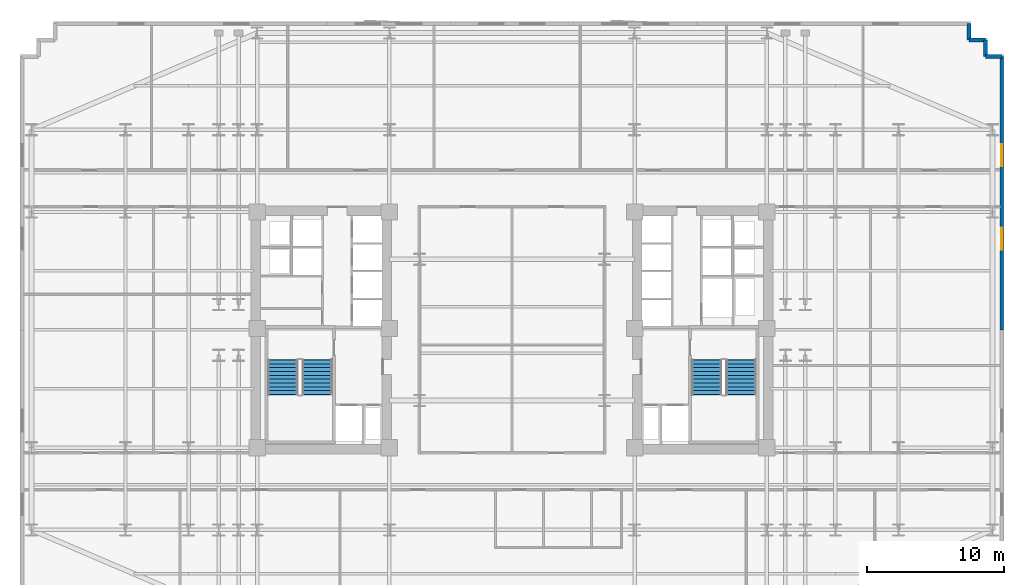
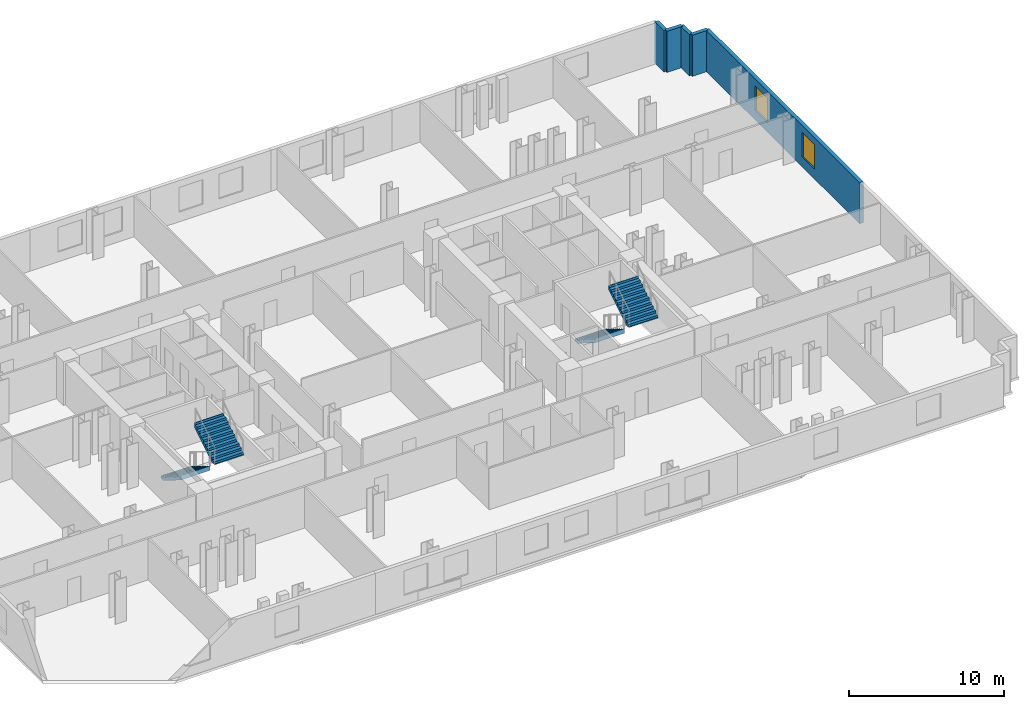
# One storey, part 8 of 10: 5 walls, 4 stair flights, 2 windows, 2 openings, 2 elements without a shape of their own.
"""IFC4 building model written with IfcOpenShell, lengths in metres."""

from ifc_helpers import new_model, si_unit, direction, frame, frame_2d, origin, place, context, subcontext, project, spatial, polyline, rectangle, outline, extrude, material, layer, layer_set, type_object, element, fill, aggregate, save


model = new_model("IFC4")

# Units and contexts
model_context = context("Model", 3, precision=1e-05, world=origin(), true_north=direction((0.0, 1.0)))
body_context = subcontext(model_context, "Body", "Model", "MODEL_VIEW")
ifc_project = project(units=[si_unit("LENGTHUNIT", "METRE"), si_unit("AREAUNIT", "SQUARE_METRE"), si_unit("VOLUMEUNIT", "CUBIC_METRE"), si_unit("PLANEANGLEUNIT", "RADIAN"), si_unit("MASSUNIT", "GRAM", prefix="KILO")], contexts=[model_context])

# Site, building, storey
site_placement = place(None, origin())
site = spatial("IfcSite", under=ifc_project, at=site_placement, CompositionType="ELEMENT")
building_placement = place(site_placement, origin())
building = spatial("IfcBuilding", under=site, at=building_placement, Name="Velakula Bourse", CompositionType="ELEMENT")
storey_placement = place(building_placement, frame((0.0, 0.0, 58.800048828125)))
storey = spatial("IfcBuildingStorey", under=building, at=storey_placement, Name="L15", CompositionType="ELEMENT", Elevation=58.800048828125)

# Wall, openings, windows
ifc_material_1 = material(Name="Red kilned clay facing brick masonry", Category="masonry")
ifc_layer_1 = layer(ifc_material_1, 0.280029296875, Name="Red kilned clay facing brick masonry", Category="masonry")
ifc_layer_set_1 = layer_set([ifc_layer_1], Name="Red kilned clay facing brick masonry")
wall_type = type_object("IfcWallType", Name="WL-EXT-BRK-280", PredefinedType="STANDARD", material=ifc_layer_set_1)
wall_1_placement = place(storey_placement, frame((35.739990234375, 19.93994140625, 0.0), z_axis=(0.0, 0.0, 1.0), x_axis=(0.0, -1.0, 0.0)))
wall_1 = element("IfcWall", 1, at=wall_1_placement, inside=storey, type_object=wall_type, Name="L15 E Brick End Wall W2", PredefinedType="STANDARD", context=body_context, shape_type="SweptSolid", body=[
    extrude(rectangle(XDim=19.93994140625, YDim=0.280029296875, at=frame_2d((9.969970703125, 0.0))), origin(), (0.0, 0.0, 1.0), 3.25),
])
opening_1_placement = place(wall_1_placement, frame((6.396728515625, 0.0, 0.760009765625)))
opening_1 = element("IfcOpeningElement", 2, at=opening_1_placement, cuts=wall_1, Name="Opening W-02", PredefinedType="OPENING", context=body_context, shape_type="SweptSolid", body=[
    extrude(rectangle(XDim=1.60009765625, YDim=1.949951171875, at=frame_2d((0.800048828125, 0.97509765625))), frame((0.0, 0.14990234375, 0.0), z_axis=(0.0, -1.0, 0.0), x_axis=(1.0, 0.0, 0.0)), (0.0, 0.0, 1.0), 0.300048828125),
])
opening_2_placement = place(wall_1_placement, frame((12.493408203125, 0.0, 0.760009765625)))
opening_2 = element("IfcOpeningElement", 3, at=opening_2_placement, cuts=wall_1, Name="Opening W-02", PredefinedType="OPENING", context=body_context, shape_type="SweptSolid", body=[
    extrude(rectangle(XDim=1.60009765625, YDim=1.949951171875, at=frame_2d((0.800048828125, 0.97509765625))), frame((0.0, 0.14990234375, 0.0), z_axis=(0.0, -1.0, 0.0), x_axis=(1.0, 0.0, 0.0)), (0.0, 0.0, 1.0), 0.300048828125),
])
ifc_material_2 = material(Name="Double-glazed solar-control Low-E glass", Category="glass")
window_type = type_object("IfcWindowType", Name="WIN-TWR-1600x2100", PartitioningType="SINGLE_PANEL", PredefinedType="WINDOW", material=ifc_material_2)
window_1_placement = place(opening_1_placement, origin())
window_1 = element("IfcWindow", 4, at=window_1_placement, inside=storey, type_object=window_type, Name="L15 Deep-Set Recessed Window 1", OverallHeight=1.949951171875, OverallWidth=1.60009765625, PartitioningType="SINGLE_PANEL", PredefinedType="WINDOW", context=body_context, shape_type="SweptSolid", body=[
    extrude(rectangle(XDim=1.60009765625, YDim=1.949951171875, at=frame_2d((0.800048828125, 0.97509765625))), frame((0.0, 0.030029296875, 0.0), z_axis=(0.0, -1.0, 0.0), x_axis=(1.0, 0.0, 0.0)), (0.0, 0.0, 1.0), 0.06005859375),
])
fill(opening_1, window_1)
window_2_placement = place(opening_2_placement, origin())
window_2 = element("IfcWindow", 5, at=window_2_placement, inside=storey, type_object=window_type, Name="L15 Deep-Set Recessed Window 2", OverallHeight=1.949951171875, OverallWidth=1.60009765625, PartitioningType="SINGLE_PANEL", PredefinedType="WINDOW", context=body_context, shape_type="SweptSolid", body=[
    extrude(rectangle(XDim=1.60009765625, YDim=1.949951171875, at=frame_2d((0.800048828125, 0.97509765625))), frame((0.0, 0.030029296875, 0.0), z_axis=(0.0, -1.0, 0.0), x_axis=(1.0, 0.0, 0.0)), (0.0, 0.0, 1.0), 0.06005859375),
])
fill(opening_2, window_2)

# Walls
for number, where, z_axis, x_axis, name in (
    (6, (35.739990234375, 19.93994140625, 0.0), (0.0, 0.0, 1.0), (-1.0, 0.0, 0.0), "L15 Serrated Corner Brick Wall NE-1"),
    (7, (34.5400390625, 19.93994140625, 0.0), (0.0, 0.0, 1.0), (0.0, 1.0, 0.0), "L15 Serrated Corner Brick Wall NE-2"),
    (8, (34.5400390625, 21.139892578125, 0.0), (0.0, 0.0, 1.0), (-1.0, 0.0, 0.0), "L15 Serrated Corner Brick Wall NE-3"),
):
    element("IfcWall", number, at=place(storey_placement, frame(where, z_axis=z_axis, x_axis=x_axis)), inside=storey, type_object=wall_type, Name=name, PredefinedType="STANDARD", context=body_context, shape_type="SweptSolid", body=[
        extrude(rectangle(XDim=1.199951171875, YDim=0.280029296875, at=frame_2d((0.60009765625, 0.0))), origin(), (0.0, 0.0, 1.0), 3.25),
    ])
wall_2_placement = place(storey_placement, frame((33.340087890625, 21.139892578125, 0.0), z_axis=(0.0, 0.0, 1.0), x_axis=(0.0, 1.0, 0.0)))
element("IfcWall", 9, at=wall_2_placement, inside=storey, type_object=wall_type, Name="L15 Serrated Corner Brick Wall NE-4", PredefinedType="STANDARD", context=body_context, shape_type="SweptSolid", body=[
    extrude(rectangle(XDim=1.2001953125, YDim=0.280029296875, at=frame_2d((0.60009765625, 0.0))), origin(), (0.0, 0.0, 1.0), 3.25),
])

# Stair, stair flights
ifc_material_3 = material(Name="Concrete M45 (fck 45 MPa)", Category="concrete")
stair_type = type_object("IfcStairType", Name="STR-DOG-390", PredefinedType="HALF_TURN_STAIR", material=ifc_material_3)
stair_1_placement = place(storey_placement, origin())
stair_1 = element("IfcStair", 10, at=stair_1_placement, inside=storey, type_object=stair_type, Name="L15 West Core Exit Stair ST-W1", PredefinedType="HALF_TURN_STAIR")
ifc_layer_2 = layer(ifc_material_3, 0.195068359375, Name="Concrete M45 (fck 45 MPa)", Category="concrete")
ifc_layer_set_2 = layer_set([ifc_layer_2], Name="Concrete M45 (fck 45 MPa)")
stair_flight_type = type_object("IfcStairFlightType", Name="FLT-DOG-390", PredefinedType="STRAIGHT", material=ifc_layer_set_2)
stair_flight_1_placement = place(storey_placement, frame((-16.720947265625, -2.199951171875, 0.0), z_axis=(0.0, 0.0, 1.0), x_axis=(0.0, -1.0, 0.0)))
stair_flight_1 = element("IfcStairFlight", 11, at=stair_flight_1_placement, type_object=stair_flight_type, Name="ST-W1 flight 1", NumberOfRisers=10, NumberOfTreads=9, PredefinedType="STRAIGHT", RiserHeight=0.1725, TreadLength=0.28, context=body_context, shape_type="SweptSolid", body=[
    extrude(outline(polyline([(-0.044921875, -0.0400390625), (-0.044921875, -0.036865234375), (-0.044921875, -0.033935546875), (-0.044921875, -0.03076171875), (-0.044921875, -0.027587890625), (-0.044921875, -0.024658203125), (-0.044921875, -0.021484375), (-0.044921875, -0.0185546875), (-0.044921875, -0.015380859375), (-0.044921875, -0.01220703125), (-0.044921875, -0.00927734375), (-0.044921875, -0.006103515625), (-0.044921875, -0.003173828125), (-0.044921875, 0.0), (0.0, 0.0), (0.0, 0.172607421875), (0.280029296875, 0.172607421875), (0.280029296875, 0.344970703125), (0.56005859375, 0.344970703125), (0.56005859375, 0.517578125), (0.840087890625, 0.517578125), (0.840087890625, 0.68994140625), (1.1201171875, 0.68994140625), (1.1201171875, 0.862548828125), (1.39990234375, 0.862548828125), (1.39990234375, 1.034912109375), (1.679931640625, 1.034912109375), (1.679931640625, 1.20751953125), (1.9599609375, 1.20751953125), (1.9599609375, 1.3798828125), (2.239990234375, 1.3798828125), (2.239990234375, 1.552490234375), (2.52001953125, 1.552490234375), (2.52001953125, 1.72509765625), (2.56494140625, 1.72509765625), (2.56494140625, 1.7001953125), (2.56494140625, 1.67529296875), (2.56494140625, 1.650390625), (2.56494140625, 1.62548828125), (2.56494140625, 1.6005859375), (2.56494140625, 1.57568359375), (2.56494140625, 1.55078125), (2.56494140625, 1.52587890625), (2.56494140625, 1.5009765625), (2.56494140625, 1.47607421875), (2.56494140625, 1.451171875), (2.56494140625, 1.42626953125), (2.56494140625, 1.4013671875), (2.56494140625, 1.37646484375), (0.285888671875, -0.0400390625), (-0.044921875, -0.0400390625)])), frame((0.0, 1.09912109375, 0.0), z_axis=(0.0, -1.0, 0.0), x_axis=(1.0, 0.0, 0.0)), (0.0, 0.0, 1.0), 2.197998046875),
])
stair_flight_2_placement = place(storey_placement, frame((-14.198974609375, -4.719970703125, 1.724853515625), z_axis=(0.0, 0.0, 1.0), x_axis=(0.0, 1.0, 0.0)))
stair_flight_2 = element("IfcStairFlight", 12, at=stair_flight_2_placement, type_object=stair_flight_type, Name="ST-W1 flight 2", NumberOfRisers=10, NumberOfTreads=9, PredefinedType="STRAIGHT", RiserHeight=0.1725, TreadLength=0.28, context=body_context, shape_type="SweptSolid", body=[
    extrude(outline(polyline([(-0.044921875, -0.0400390625), (-0.044921875, -0.036865234375), (-0.044921875, -0.033935546875), (-0.044921875, -0.03076171875), (-0.044921875, -0.027587890625), (-0.044921875, -0.024658203125), (-0.044921875, -0.021484375), (-0.044921875, -0.0185546875), (-0.044921875, -0.015380859375), (-0.044921875, -0.01220703125), (-0.044921875, -0.00927734375), (-0.044921875, -0.006103515625), (-0.044921875, -0.003173828125), (-0.044921875, 0.0), (0.0, 0.0), (0.0, 0.172607421875), (0.280029296875, 0.172607421875), (0.280029296875, 0.344970703125), (0.56005859375, 0.344970703125), (0.56005859375, 0.517578125), (0.840087890625, 0.517578125), (0.840087890625, 0.68994140625), (1.1201171875, 0.68994140625), (1.1201171875, 0.862548828125), (1.39990234375, 0.862548828125), (1.39990234375, 1.034912109375), (1.679931640625, 1.034912109375), (1.679931640625, 1.20751953125), (1.9599609375, 1.20751953125), (1.9599609375, 1.3798828125), (2.239990234375, 1.3798828125), (2.239990234375, 1.552490234375), (2.52001953125, 1.552490234375), (2.52001953125, 1.72509765625), (2.56494140625, 1.72509765625), (2.56494140625, 1.7001953125), (2.56494140625, 1.67529296875), (2.56494140625, 1.650390625), (2.56494140625, 1.62548828125), (2.56494140625, 1.6005859375), (2.56494140625, 1.57568359375), (2.56494140625, 1.55078125), (2.56494140625, 1.52587890625), (2.56494140625, 1.5009765625), (2.56494140625, 1.47607421875), (2.56494140625, 1.451171875), (2.56494140625, 1.42626953125), (2.56494140625, 1.4013671875), (2.56494140625, 1.37646484375), (0.285888671875, -0.0400390625), (-0.044921875, -0.0400390625)])), frame((0.0, 1.09912109375, 0.0), z_axis=(0.0, -1.0, 0.0), x_axis=(1.0, 0.0, 0.0)), (0.0, 0.0, 1.0), 2.197998046875),
])
aggregate(stair_1, [stair_flight_1, stair_flight_2])

stair_2_placement = place(storey_placement, origin())
stair_2 = element("IfcStair", 13, at=stair_2_placement, inside=storey, type_object=stair_type, Name="L15 East Core Exit Stair ST-E1", PredefinedType="HALF_TURN_STAIR")
stair_flight_3_placement = place(storey_placement, frame((14.198974609375, -2.199951171875, 0.0), z_axis=(0.0, 0.0, 1.0), x_axis=(0.0, -1.0, 0.0)))
stair_flight_3 = element("IfcStairFlight", 14, at=stair_flight_3_placement, type_object=stair_flight_type, Name="ST-E1 flight 1", NumberOfRisers=10, NumberOfTreads=9, PredefinedType="STRAIGHT", RiserHeight=0.1725, TreadLength=0.28, context=body_context, shape_type="SweptSolid", body=[
    extrude(outline(polyline([(-0.044921875, -0.0400390625), (-0.044921875, -0.036865234375), (-0.044921875, -0.033935546875), (-0.044921875, -0.03076171875), (-0.044921875, -0.027587890625), (-0.044921875, -0.024658203125), (-0.044921875, -0.021484375), (-0.044921875, -0.0185546875), (-0.044921875, -0.015380859375), (-0.044921875, -0.01220703125), (-0.044921875, -0.00927734375), (-0.044921875, -0.006103515625), (-0.044921875, -0.003173828125), (-0.044921875, 0.0), (0.0, 0.0), (0.0, 0.172607421875), (0.280029296875, 0.172607421875), (0.280029296875, 0.344970703125), (0.56005859375, 0.344970703125), (0.56005859375, 0.517578125), (0.840087890625, 0.517578125), (0.840087890625, 0.68994140625), (1.1201171875, 0.68994140625), (1.1201171875, 0.862548828125), (1.39990234375, 0.862548828125), (1.39990234375, 1.034912109375), (1.679931640625, 1.034912109375), (1.679931640625, 1.20751953125), (1.9599609375, 1.20751953125), (1.9599609375, 1.3798828125), (2.239990234375, 1.3798828125), (2.239990234375, 1.552490234375), (2.52001953125, 1.552490234375), (2.52001953125, 1.72509765625), (2.56494140625, 1.72509765625), (2.56494140625, 1.7001953125), (2.56494140625, 1.67529296875), (2.56494140625, 1.650390625), (2.56494140625, 1.62548828125), (2.56494140625, 1.6005859375), (2.56494140625, 1.57568359375), (2.56494140625, 1.55078125), (2.56494140625, 1.52587890625), (2.56494140625, 1.5009765625), (2.56494140625, 1.47607421875), (2.56494140625, 1.451171875), (2.56494140625, 1.42626953125), (2.56494140625, 1.4013671875), (2.56494140625, 1.37646484375), (0.285888671875, -0.0400390625), (-0.044921875, -0.0400390625)])), frame((0.0, 1.09912109375, 0.0), z_axis=(0.0, -1.0, 0.0), x_axis=(1.0, 0.0, 0.0)), (0.0, 0.0, 1.0), 2.197998046875),
])
stair_flight_4_placement = place(storey_placement, frame((16.720947265625, -4.719970703125, 1.724853515625), z_axis=(0.0, 0.0, 1.0), x_axis=(0.0, 1.0, 0.0)))
stair_flight_4 = element("IfcStairFlight", 15, at=stair_flight_4_placement, type_object=stair_flight_type, Name="ST-E1 flight 2", NumberOfRisers=10, NumberOfTreads=9, PredefinedType="STRAIGHT", RiserHeight=0.1725, TreadLength=0.28, context=body_context, shape_type="SweptSolid", body=[
    extrude(outline(polyline([(-0.044921875, -0.0400390625), (-0.044921875, -0.036865234375), (-0.044921875, -0.033935546875), (-0.044921875, -0.03076171875), (-0.044921875, -0.027587890625), (-0.044921875, -0.024658203125), (-0.044921875, -0.021484375), (-0.044921875, -0.0185546875), (-0.044921875, -0.015380859375), (-0.044921875, -0.01220703125), (-0.044921875, -0.00927734375), (-0.044921875, -0.006103515625), (-0.044921875, -0.003173828125), (-0.044921875, 0.0), (0.0, 0.0), (0.0, 0.172607421875), (0.280029296875, 0.172607421875), (0.280029296875, 0.344970703125), (0.56005859375, 0.344970703125), (0.56005859375, 0.517578125), (0.840087890625, 0.517578125), (0.840087890625, 0.68994140625), (1.1201171875, 0.68994140625), (1.1201171875, 0.862548828125), (1.39990234375, 0.862548828125), (1.39990234375, 1.034912109375), (1.679931640625, 1.034912109375), (1.679931640625, 1.20751953125), (1.9599609375, 1.20751953125), (1.9599609375, 1.3798828125), (2.239990234375, 1.3798828125), (2.239990234375, 1.552490234375), (2.52001953125, 1.552490234375), (2.52001953125, 1.72509765625), (2.56494140625, 1.72509765625), (2.56494140625, 1.7001953125), (2.56494140625, 1.67529296875), (2.56494140625, 1.650390625), (2.56494140625, 1.62548828125), (2.56494140625, 1.6005859375), (2.56494140625, 1.57568359375), (2.56494140625, 1.55078125), (2.56494140625, 1.52587890625), (2.56494140625, 1.5009765625), (2.56494140625, 1.47607421875), (2.56494140625, 1.451171875), (2.56494140625, 1.42626953125), (2.56494140625, 1.4013671875), (2.56494140625, 1.37646484375), (0.285888671875, -0.0400390625), (-0.044921875, -0.0400390625)])), frame((0.0, 1.09912109375, 0.0), z_axis=(0.0, -1.0, 0.0), x_axis=(1.0, 0.0, 0.0)), (0.0, 0.0, 1.0), 2.197998046875),
])
aggregate(stair_2, [stair_flight_3, stair_flight_4])

save(model, "model.ifc")
